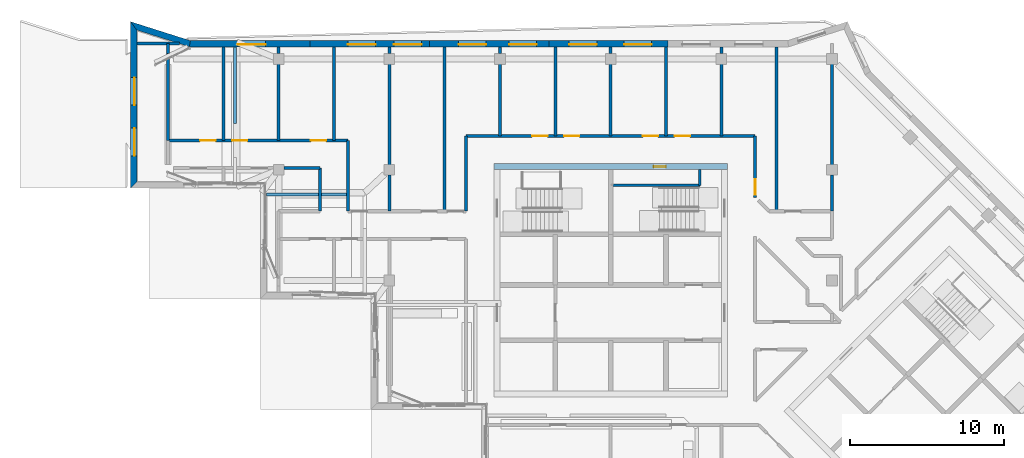
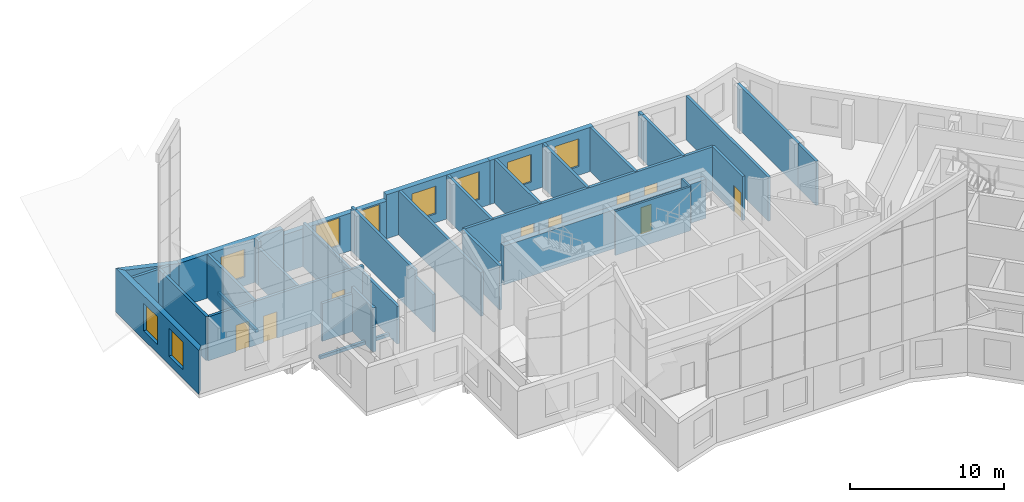
# One storey, part 15 of 20: 40 walls, 9 doors, 9 windows, 18 openings.
"""IFC4 building model written with IfcOpenShell, lengths in metres."""

from ifc_helpers import new_model, si_unit, direction, frame, frame_2d, origin, place, context, subcontext, project, spatial, polyline, rectangle, outline, extrude, material, layer, layer_set, type_object, element, fill, save


model = new_model("IFC4")

# Units and contexts
model_context = context("Model", 3, precision=1e-05, world=origin(), true_north=direction((0.0, 1.0)))
body_context = subcontext(model_context, "Body", "Model", "MODEL_VIEW")
ifc_project = project(units=[si_unit("LENGTHUNIT", "METRE"), si_unit("AREAUNIT", "SQUARE_METRE"), si_unit("VOLUMEUNIT", "CUBIC_METRE"), si_unit("PLANEANGLEUNIT", "RADIAN"), si_unit("MASSUNIT", "GRAM", prefix="KILO")], contexts=[model_context])

# Site, building, storey
site_placement = place(None, origin())
site = spatial("IfcSite", under=ifc_project, at=site_placement, CompositionType="ELEMENT")
building_placement = place(site_placement, origin())
building = spatial("IfcBuilding", under=site, at=building_placement, Name="Windrow Commons", CompositionType="ELEMENT")
storey_placement = place(building_placement, frame((0.0, 0.0, 290.6)))
storey = spatial("IfcBuildingStorey", under=building, at=storey_placement, Name="L79", CompositionType="ELEMENT", Elevation=290.6)

# Wall, openings, doors
ifc_material_1 = material(Name="Blockwork partition", Category="masonry")
ifc_layer_1 = layer(ifc_material_1, 0.2)
ifc_layer_set_1 = layer_set([ifc_layer_1], Name="IW-CORRIDOR-200")
wall_type_1 = type_object("IfcWallType", Name="IW-CORRIDOR-200", PredefinedType="PARTITIONING", material=ifc_layer_set_1)
wall_1_placement = place(storey_placement, frame((55.4, 67.0, 0.0), z_axis=(0.0, 0.0, 1.0), x_axis=(1.0, 0.0, 0.0)))
wall_1 = element("IfcWall", 1, at=wall_1_placement, inside=storey, type_object=wall_type_1, Name="W-L79-W002", PredefinedType="PARTITIONING", context=body_context, shape_type="SweptSolid", body=[
    extrude(rectangle(XDim=18.8, YDim=0.2, at=frame_2d((9.4, 0.0))), origin(), (0.0, 0.0, 1.0), 3.5),
])
opening_1_placement = place(wall_1_placement, frame((4.2925, 0.0, 0.0)))
opening_1 = element("IfcOpeningElement", 2, at=opening_1_placement, cuts=wall_1, Name="Opening D410F", PredefinedType="OPENING", context=body_context, shape_type="SweptSolid", body=[
    extrude(rectangle(XDim=1.0, YDim=2.1, at=frame_2d((0.5, 1.05))), frame((0.0, 0.11, 0.0), z_axis=(0.0, -1.0, 0.0), x_axis=(1.0, 0.0, 0.0)), (0.0, 0.0, 1.0), 0.22),
])
opening_2_placement = place(wall_1_placement, frame((6.3675, 0.0, 0.0)))
opening_2 = element("IfcOpeningElement", 3, at=opening_2_placement, cuts=wall_1, Name="Opening D410F", PredefinedType="OPENING", context=body_context, shape_type="SweptSolid", body=[
    extrude(rectangle(XDim=1.0, YDim=2.1, at=frame_2d((0.5, 1.05))), frame((0.0, 0.11, 0.0), z_axis=(0.0, -1.0, 0.0), x_axis=(1.0, 0.0, 0.0)), (0.0, 0.0, 1.0), 0.22),
])
opening_3_placement = place(wall_1_placement, frame((11.4925, 0.0, 0.0)))
opening_3 = element("IfcOpeningElement", 4, at=opening_3_placement, cuts=wall_1, Name="Opening D410F", PredefinedType="OPENING", context=body_context, shape_type="SweptSolid", body=[
    extrude(rectangle(XDim=1.0, YDim=2.1, at=frame_2d((0.5, 1.05))), frame((0.0, 0.11, 0.0), z_axis=(0.0, -1.0, 0.0), x_axis=(1.0, 0.0, 0.0)), (0.0, 0.0, 1.0), 0.22),
])
opening_4_placement = place(wall_1_placement, frame((13.5675, 0.0, 0.0)))
opening_4 = element("IfcOpeningElement", 5, at=opening_4_placement, cuts=wall_1, Name="Opening D410F", PredefinedType="OPENING", context=body_context, shape_type="SweptSolid", body=[
    extrude(rectangle(XDim=1.0, YDim=2.1, at=frame_2d((0.5, 1.05))), frame((0.0, 0.11, 0.0), z_axis=(0.0, -1.0, 0.0), x_axis=(1.0, 0.0, 0.0)), (0.0, 0.0, 1.0), 0.22),
])
ifc_material_2 = material(Name="Timber door leaf", Category="wood")
door_type_1 = type_object("IfcDoorType", Name="DT-SERVICE-1000", OperationType="SINGLE_SWING_LEFT", PredefinedType="DOOR", material=ifc_material_2)
door_1_placement = place(opening_1_placement, origin())
door_1 = element("IfcDoor", 6, at=door_1_placement, inside=storey, type_object=door_type_1, Name="D-L79-D018", OperationType="SINGLE_SWING_RIGHT", OverallHeight=2.1, OverallWidth=1.0, PredefinedType="DOOR", context=body_context, shape_type="SweptSolid", body=[
    extrude(rectangle(XDim=1.0, YDim=2.1, at=frame_2d((0.5, 1.05))), frame((0.0, 0.025, 0.0), z_axis=(0.0, -1.0, 0.0), x_axis=(1.0, 0.0, 0.0)), (0.0, 0.0, 1.0), 0.05),
])
fill(opening_1, door_1)
door_2_placement = place(opening_2_placement, origin())
door_2 = element("IfcDoor", 7, at=door_2_placement, inside=storey, type_object=door_type_1, Name="D-L79-D019", OperationType="SINGLE_SWING_LEFT", OverallHeight=2.1, OverallWidth=1.0, PredefinedType="DOOR", context=body_context, shape_type="SweptSolid", body=[
    extrude(rectangle(XDim=1.0, YDim=2.1, at=frame_2d((0.5, 1.05))), frame((0.0, 0.025, 0.0), z_axis=(0.0, -1.0, 0.0), x_axis=(1.0, 0.0, 0.0)), (0.0, 0.0, 1.0), 0.05),
])
fill(opening_2, door_2)
door_3_placement = place(opening_3_placement, origin())
door_3 = element("IfcDoor", 8, at=door_3_placement, inside=storey, type_object=door_type_1, Name="D-L79-D020", OperationType="SINGLE_SWING_RIGHT", OverallHeight=2.1, OverallWidth=1.0, PredefinedType="DOOR", context=body_context, shape_type="SweptSolid", body=[
    extrude(rectangle(XDim=1.0, YDim=2.1, at=frame_2d((0.5, 1.05))), frame((0.0, 0.025, 0.0), z_axis=(0.0, -1.0, 0.0), x_axis=(1.0, 0.0, 0.0)), (0.0, 0.0, 1.0), 0.05),
])
fill(opening_3, door_3)
door_4_placement = place(opening_4_placement, origin())
door_4 = element("IfcDoor", 9, at=door_4_placement, inside=storey, type_object=door_type_1, Name="D-L79-D021", OperationType="SINGLE_SWING_LEFT", OverallHeight=2.1, OverallWidth=1.0, PredefinedType="DOOR", context=body_context, shape_type="SweptSolid", body=[
    extrude(rectangle(XDim=1.0, YDim=2.1, at=frame_2d((0.5, 1.05))), frame((0.0, 0.025, 0.0), z_axis=(0.0, -1.0, 0.0), x_axis=(1.0, 0.0, 0.0)), (0.0, 0.0, 1.0), 0.05),
])
fill(opening_4, door_4)

wall_2_placement = place(storey_placement, frame((36.0, 66.7, 0.0), z_axis=(0.0, 0.0, 1.0), x_axis=(1.0, 0.0, 0.0)))
wall_2 = element("IfcWall", 10, at=wall_2_placement, inside=storey, type_object=wall_type_1, Name="W-L79-W005", PredefinedType="PARTITIONING", context=body_context, shape_type="SweptSolid", body=[
    extrude(rectangle(XDim=11.7, YDim=0.2, at=frame_2d((5.85, 0.0))), origin(), (0.0, 0.0, 1.0), 3.5),
])
opening_5_placement = place(wall_2_placement, frame((2.0925, 0.0, 0.0)))
opening_5 = element("IfcOpeningElement", 11, at=opening_5_placement, cuts=wall_2, Name="Opening D410F", PredefinedType="OPENING", context=body_context, shape_type="SweptSolid", body=[
    extrude(rectangle(XDim=1.0, YDim=2.1, at=frame_2d((0.5, 1.05))), frame((0.0, 0.11, 0.0), z_axis=(0.0, -1.0, 0.0), x_axis=(1.0, 0.0, 0.0)), (0.0, 0.0, 1.0), 0.22),
])
opening_6_placement = place(wall_2_placement, frame((4.1675, 0.0, 0.0)))
opening_6 = element("IfcOpeningElement", 12, at=opening_6_placement, cuts=wall_2, Name="Opening D410F", PredefinedType="OPENING", context=body_context, shape_type="SweptSolid", body=[
    extrude(rectangle(XDim=1.0, YDim=2.1, at=frame_2d((0.5, 1.05))), frame((0.0, 0.11, 0.0), z_axis=(0.0, -1.0, 0.0), x_axis=(1.0, 0.0, 0.0)), (0.0, 0.0, 1.0), 0.22),
])
opening_7_placement = place(wall_2_placement, frame((9.2925, 0.0, 0.0)))
opening_7 = element("IfcOpeningElement", 13, at=opening_7_placement, cuts=wall_2, Name="Opening D410F", PredefinedType="OPENING", context=body_context, shape_type="SweptSolid", body=[
    extrude(rectangle(XDim=1.0, YDim=2.1, at=frame_2d((0.5, 1.05))), frame((0.0, 0.11, 0.0), z_axis=(0.0, -1.0, 0.0), x_axis=(1.0, 0.0, 0.0)), (0.0, 0.0, 1.0), 0.22),
])
door_5_placement = place(opening_5_placement, origin())
door_5 = element("IfcDoor", 14, at=door_5_placement, inside=storey, type_object=door_type_1, Name="D-L79-D006", OperationType="SINGLE_SWING_RIGHT", OverallHeight=2.1, OverallWidth=1.0, PredefinedType="DOOR", context=body_context, shape_type="SweptSolid", body=[
    extrude(rectangle(XDim=1.0, YDim=2.1, at=frame_2d((0.5, 1.05))), frame((0.0, 0.025, 0.0), z_axis=(0.0, -1.0, 0.0), x_axis=(1.0, 0.0, 0.0)), (0.0, 0.0, 1.0), 0.05),
])
fill(opening_5, door_5)
door_6_placement = place(opening_6_placement, origin())
door_6 = element("IfcDoor", 15, at=door_6_placement, inside=storey, type_object=door_type_1, Name="D-L79-D007", OperationType="SINGLE_SWING_LEFT", OverallHeight=2.1, OverallWidth=1.0, PredefinedType="DOOR", context=body_context, shape_type="SweptSolid", body=[
    extrude(rectangle(XDim=1.0, YDim=2.1, at=frame_2d((0.5, 1.05))), frame((0.0, 0.025, 0.0), z_axis=(0.0, -1.0, 0.0), x_axis=(1.0, 0.0, 0.0)), (0.0, 0.0, 1.0), 0.05),
])
fill(opening_6, door_6)
door_7_placement = place(opening_7_placement, origin())
door_7 = element("IfcDoor", 16, at=door_7_placement, inside=storey, type_object=door_type_1, Name="D-L79-D008", OperationType="SINGLE_SWING_RIGHT", OverallHeight=2.1, OverallWidth=1.0, PredefinedType="DOOR", context=body_context, shape_type="SweptSolid", body=[
    extrude(rectangle(XDim=1.0, YDim=2.1, at=frame_2d((0.5, 1.05))), frame((0.0, 0.025, 0.0), z_axis=(0.0, -1.0, 0.0), x_axis=(1.0, 0.0, 0.0)), (0.0, 0.0, 1.0), 0.05),
])
fill(opening_7, door_7)

# Walls
wall_3_placement = place(storey_placement, frame((55.4, 62.102, 0.0), z_axis=(0.0, 0.0, 1.0), x_axis=(0.0, 1.0, 0.0)))
element("IfcWall", 17, at=wall_3_placement, inside=storey, type_object=wall_type_1, Name="W-L79-W031", PredefinedType="PARTITIONING", context=body_context, shape_type="SweptSolid", body=[
    extrude(rectangle(XDim=4.898, YDim=0.2, at=frame_2d((2.449, 0.0))), origin(), (0.0, 0.0, 1.0), 3.5),
])
wall_4_placement = place(storey_placement, frame((47.7, 62.102, 0.0), z_axis=(0.0, 0.0, 1.0), x_axis=(0.0, 1.0, 0.0)))
element("IfcWall", 18, at=wall_4_placement, inside=storey, type_object=wall_type_1, Name="W-L79-W038", PredefinedType="PARTITIONING", context=body_context, shape_type="SweptSolid", body=[
    extrude(rectangle(XDim=4.598, YDim=0.2, at=frame_2d((2.299, 0.0))), origin(), (0.0, 0.0, 1.0), 3.0),
])

# Wall, opening, door
wall_5_placement = place(storey_placement, frame((74.2, 63.0, 0.0), z_axis=(0.0, 0.0, 1.0), x_axis=(0.0, 1.0, 0.0)))
wall_5 = element("IfcWall", 19, at=wall_5_placement, inside=storey, type_object=wall_type_1, Name="W-L79-W042", PredefinedType="PARTITIONING", context=body_context, shape_type="SweptSolid", body=[
    extrude(rectangle(XDim=4.0, YDim=0.2, at=frame_2d((2.0, 0.0))), origin(), (0.0, 0.0, 1.0), 3.5),
])
opening_8_placement = place(wall_5_placement, frame((0.186, 0.0, 0.0)))
opening_8 = element("IfcOpeningElement", 20, at=opening_8_placement, cuts=wall_5, Name="Opening D410F", PredefinedType="OPENING", context=body_context, shape_type="SweptSolid", body=[
    extrude(rectangle(XDim=1.0, YDim=2.1, at=frame_2d((0.5, 1.05))), frame((0.0, 0.11, 0.0), z_axis=(0.0, -1.0, 0.0), x_axis=(1.0, 0.0, 0.0)), (0.0, 0.0, 1.0), 0.22),
])
door_8_placement = place(opening_8_placement, origin())
door_8 = element("IfcDoor", 21, at=door_8_placement, inside=storey, type_object=door_type_1, Name="D-L79-D014", OperationType="SINGLE_SWING_RIGHT", OverallHeight=2.1, OverallWidth=1.0, PredefinedType="DOOR", context=body_context, shape_type="SweptSolid", body=[
    extrude(rectangle(XDim=1.0, YDim=2.1, at=frame_2d((0.5, 1.05))), frame((0.0, 0.025, 0.0), z_axis=(0.0, -1.0, 0.0), x_axis=(1.0, 0.0, 0.0)), (0.0, 0.0, 1.0), 0.05),
])
fill(opening_8, door_8)

# Walls
wall_6_placement = place(storey_placement, frame((45.9, 62.102, 0.0), z_axis=(0.0, 0.0, 1.0), x_axis=(0.0, 1.0, 0.0)))
element("IfcWall", 22, at=wall_6_placement, inside=storey, type_object=wall_type_1, Name="W-L79-W051", PredefinedType="PARTITIONING", context=body_context, shape_type="SweptSolid", body=[
    extrude(rectangle(XDim=2.798, YDim=0.2, at=frame_2d((1.399, 0.0))), origin(), (0.0, 0.0, 1.0), 3.5),
])
wall_7_placement = place(storey_placement, frame((43.55, 64.9, 0.0), z_axis=(0.0, 0.0, 1.0), x_axis=(1.0, 0.0, 0.0)))
element("IfcWall", 23, at=wall_7_placement, inside=storey, type_object=wall_type_1, Name="W-L79-W058", PredefinedType="PARTITIONING", context=body_context, shape_type="SweptSolid", body=[
    extrude(rectangle(XDim=2.35, YDim=0.2, at=frame_2d((1.175, 0.0))), origin(), (0.0, 0.0, 1.0), 3.0),
])
ifc_material_3 = material(Name="Blockwork partition", Category="masonry")
ifc_layer_2 = layer(ifc_material_3, 0.2)
ifc_layer_set_2 = layer_set([ifc_layer_2], Name="IW-PARTY-200")
wall_type_2 = type_object("IfcWallType", Name="IW-PARTY-200", PredefinedType="PARTITIONING", material=ifc_layer_set_2)
for number, where, z_axis, x_axis, name in (
    (24, (50.4, 64.45, 0.0), (0.0, 0.0, 1.0), (0.0, 1.0, 0.0), "W-L79-W017"),
    (25, (79.2, 64.45, 0.0), (0.0, 0.0, 1.0), (0.0, 1.0, 0.0), "W-L79-W018"),
):
    element("IfcWall", number, at=place(storey_placement, frame(where, z_axis=z_axis, x_axis=x_axis)), inside=storey, type_object=wall_type_2, Name=name, PredefinedType="PARTITIONING", context=body_context, shape_type="SweptSolid", body=[
        extrude(rectangle(XDim=7.9, YDim=0.2, at=frame_2d((3.95, 0.0))), origin(), (0.0, 0.0, 1.0), 3.5),
    ])
wall_8_placement = place(storey_placement, frame((36.0, 66.7, 0.0), z_axis=(0.0, 0.0, 1.0), x_axis=(0.0, 1.0, 0.0)))
element("IfcWall", 26, at=wall_8_placement, inside=storey, type_object=wall_type_2, Name="W-L79-W029", PredefinedType="PARTITIONING", context=body_context, shape_type="SweptSolid", body=[
    extrude(rectangle(XDim=5.65, YDim=0.2, at=frame_2d((2.825, 0.0))), origin(), (0.0, 0.0, 1.0), 3.5),
])
wall_9_placement = place(storey_placement, frame((43.2, 66.7, 0.0), z_axis=(0.0, 0.0, 1.0), x_axis=(0.0, 1.0, 0.0)))
element("IfcWall", 27, at=wall_9_placement, inside=storey, type_object=wall_type_2, Name="W-L79-W030", PredefinedType="PARTITIONING", context=body_context, shape_type="SweptSolid", body=[
    extrude(rectangle(XDim=5.65, YDim=0.2, at=frame_2d((2.825, 0.0))), origin(), (0.0, 0.0, 1.0), 3.0),
])
for number, where, z_axis, x_axis, name in (
    (28, (57.6, 67.0, 0.0), (0.0, 0.0, 1.0), (0.0, 1.0, 0.0), "W-L79-W033"),
    (29, (64.8, 67.0, 0.0), (0.0, 0.0, 1.0), (0.0, 1.0, 0.0), "W-L79-W035"),
    (30, (72.0, 67.0, 0.0), (0.0, 0.0, 1.0), (0.0, 1.0, 0.0), "W-L79-W037"),
):
    element("IfcWall", number, at=place(storey_placement, frame(where, z_axis=z_axis, x_axis=x_axis)), inside=storey, type_object=wall_type_2, Name=name, PredefinedType="PARTITIONING", context=body_context, shape_type="SweptSolid", body=[
        extrude(rectangle(XDim=5.35, YDim=0.2, at=frame_2d((2.675, 0.0))), origin(), (0.0, 0.0, 1.0), 3.5),
    ])
wall_10_placement = place(storey_placement, frame((50.4, 62.1, 0.0), z_axis=(0.0, 0.0, 1.0), x_axis=(0.0, 1.0, 0.0)))
element("IfcWall", 31, at=wall_10_placement, inside=storey, type_object=wall_type_2, Name="W-L79-W059", PredefinedType="PARTITIONING", context=body_context, shape_type="SweptSolid", body=[
    extrude(rectangle(XDim=2.35, YDim=0.2, at=frame_2d((1.175, 0.0))), origin(), (0.0, 0.0, 1.0), 3.0),
])
wall_11_placement = place(storey_placement, frame((79.2, 62.1, 0.0), z_axis=(0.0, 0.0, 1.0), x_axis=(0.0, 1.0, 0.0)))
element("IfcWall", 32, at=wall_11_placement, inside=storey, type_object=wall_type_2, Name="W-L79-W060", PredefinedType="PARTITIONING", context=body_context, shape_type="SweptSolid", body=[
    extrude(rectangle(XDim=2.35, YDim=0.2, at=frame_2d((1.175, 0.0))), origin(), (0.0, 0.0, 1.0), 3.5),
])
wall_12_placement = place(storey_placement, frame((36.0, 72.35, 0.0), z_axis=(0.0, 0.0, 1.0), x_axis=(0.0, 1.0, 0.0)))
element("IfcWall", 33, at=wall_12_placement, inside=storey, type_object=wall_type_2, Name="W-L79-W090", PredefinedType="PARTITIONING", context=body_context, shape_type="SweptSolid", body=[
    extrude(rectangle(XDim=0.65, YDim=0.2, at=frame_2d((0.325, 0.0))), origin(), (0.0, 0.0, 1.0), 3.5),
])
wall_13_placement = place(storey_placement, frame((33.967, 73.0, 0.0), z_axis=(0.0, 0.0, 1.0), x_axis=(1.0, 0.0, 0.0)))
element("IfcWall", 34, at=wall_13_placement, inside=storey, type_object=wall_type_2, Name="W-L79-W000", PredefinedType="PARTITIONING", context=body_context, shape_type="SweptSolid", body=[
    extrude(outline(polyline([(0.0, -0.1), (2.7941, -0.1), (2.7941, 0.1), (0.0, 0.1), (0.0, -0.1)])), origin(), (0.0, 0.0, 1.0), 3.5),
])
for number, where, z_axis, x_axis, name in (
    (35, (54.0, 62.1, 0.0), (0.0, 0.0, 1.0), (0.0, 1.0, 0.0), "W-L79-W008"),
    (36, (75.6, 62.1, 0.0), (0.0, 0.0, 1.0), (0.0, 1.0, 0.0), "W-L79-W009"),
):
    element("IfcWall", number, at=place(storey_placement, frame(where, z_axis=z_axis, x_axis=x_axis)), inside=storey, type_object=wall_type_2, Name=name, PredefinedType="PARTITIONING", context=body_context, shape_type="SweptSolid", body=[
        extrude(outline(polyline([(0.0, -0.1), (10.7, -0.1), (10.7, 0.1), (0.0, 0.1), (0.0, -0.1)])), origin(), (0.0, 0.0, 1.0), 3.5),
    ])
for number, where, z_axis, x_axis, name in (
    (37, (39.6, 66.7, 0.0), (0.0, 0.0, 1.0), (0.0, 1.0, 0.0), "W-L79-W019"),
    (38, (46.8, 66.7, 0.0), (0.0, 0.0, 1.0), (0.0, 1.0, 0.0), "W-L79-W020"),
):
    element("IfcWall", number, at=place(storey_placement, frame(where, z_axis=z_axis, x_axis=x_axis)), inside=storey, type_object=wall_type_2, Name=name, PredefinedType="PARTITIONING", context=body_context, shape_type="SweptSolid", body=[
        extrude(outline(polyline([(0.0, -0.1), (6.1, -0.1), (6.1, 0.1), (0.0, 0.1), (0.0, -0.1)])), origin(), (0.0, 0.0, 1.0), 3.5),
    ])
for number, where, z_axis, x_axis, name in (
    (39, (61.2, 67.0, 0.0), (0.0, 0.0, 1.0), (0.0, 1.0, 0.0), "W-L79-W023"),
    (40, (68.4, 67.0, 0.0), (0.0, 0.0, 1.0), (0.0, 1.0, 0.0), "W-L79-W024"),
):
    element("IfcWall", number, at=place(storey_placement, frame(where, z_axis=z_axis, x_axis=x_axis)), inside=storey, type_object=wall_type_2, Name=name, PredefinedType="PARTITIONING", context=body_context, shape_type="SweptSolid", body=[
        extrude(outline(polyline([(0.0, -0.1), (5.8, -0.1), (5.8, 0.1), (0.0, 0.1), (0.0, -0.1)])), origin(), (0.0, 0.0, 1.0), 3.5),
    ])
for number, where, z_axis, x_axis, name in (
    (41, (43.2, 72.35, 0.0), (0.0, 0.0, 1.0), (0.0, 1.0, 0.0), "W-L79-W091"),
    (42, (50.4, 72.35, 0.0), (0.0, 0.0, 1.0), (0.0, 1.0, 0.0), "W-L79-W092"),
    (43, (57.6, 72.35, 0.0), (0.0, 0.0, 1.0), (0.0, 1.0, 0.0), "W-L79-W093"),
    (44, (64.8, 72.35, 0.0), (0.0, 0.0, 1.0), (0.0, 1.0, 0.0), "W-L79-W094"),
    (45, (72.0, 72.35, 0.0), (0.0, 0.0, 1.0), (0.0, 1.0, 0.0), "W-L79-W095"),
):
    element("IfcWall", number, at=place(storey_placement, frame(where, z_axis=z_axis, x_axis=x_axis)), inside=storey, type_object=wall_type_2, Name=name, PredefinedType="PARTITIONING", context=body_context, shape_type="SweptSolid", body=[
        extrude(outline(polyline([(0.0, -0.1), (0.45, -0.1), (0.45, 0.1), (0.0, 0.1), (0.0, -0.1)])), origin(), (0.0, 0.0, 1.0), 3.5),
    ])

# Wall, opening, door
ifc_material_4 = material(Name="Concrete C40/50", Category="concrete")
ifc_layer_3 = layer(ifc_material_4, 0.4)
ifc_layer_set_3 = layer_set([ifc_layer_3], Name="RC CORE WALL 400 C40/50")
wall_type_3 = type_object("IfcWallType", Name="RC CORE WALL 400 C40/50", PredefinedType="SHEAR", material=ifc_layer_set_3)
wall_14_placement = place(storey_placement, frame((57.2, 65.0, -0.3), z_axis=(0.0, 0.0, 1.0), x_axis=(1.0, 0.0, 0.0)))
wall_14 = element("IfcWall", 46, at=wall_14_placement, inside=storey, type_object=wall_type_3, Name="Core A wall outer-N", PredefinedType="SHEAR", context=body_context, shape_type="SweptSolid", body=[
    extrude(rectangle(XDim=15.2, YDim=0.4, at=frame_2d((7.6, 0.0))), origin(), (0.0, 0.0, 1.0), 3.1),
])
opening_9_placement = place(wall_14_placement, frame((10.4, 0.0, 0.3)))
opening_9 = element("IfcOpeningElement", 47, at=opening_9_placement, cuts=wall_14, Name="Opening D9", PredefinedType="OPENING", context=body_context, shape_type="SweptSolid", body=[
    extrude(rectangle(XDim=0.8, YDim=2.1, at=frame_2d((0.4, 1.05))), frame((0.0, 0.21, 0.0), z_axis=(0.0, -1.0, 0.0), x_axis=(1.0, 0.0, 0.0)), (0.0, 0.0, 1.0), 0.42),
])
ifc_material_5 = material(Name="Steel fire door leaf", Category="steel")
door_type_2 = type_object("IfcDoorType", Name="Riser access door 800", OperationType="SINGLE_SWING_LEFT", PredefinedType="DOOR", material=ifc_material_5)
door_9_placement = place(opening_9_placement, origin())
door_9 = element("IfcDoor", 48, at=door_9_placement, inside=storey, type_object=door_type_2, Name="Riser access door", OperationType="SINGLE_SWING_RIGHT", OverallHeight=2.1, OverallWidth=0.8, PredefinedType="DOOR", context=body_context, shape_type="SweptSolid", body=[
    extrude(rectangle(XDim=0.8, YDim=2.1, at=frame_2d((0.4, 1.05))), frame((0.0, 0.025, 0.0), z_axis=(0.0, -1.0, 0.0), x_axis=(1.0, 0.0, 0.0)), (0.0, 0.0, 1.0), 0.05),
])
fill(opening_9, door_9)

# Walls
ifc_material_6 = material(Name="Blockwork partition", Category="masonry")
ifc_layer_4 = layer(ifc_material_6, 0.15)
ifc_layer_set_4 = layer_set([ifc_layer_4], Name="Riser partition 150")
wall_type_4 = type_object("IfcWallType", Name="Riser partition 150", PredefinedType="PARTITIONING", material=ifc_layer_set_4)
wall_15_placement = place(storey_placement, frame((64.95, 63.78, 0.0), z_axis=(0.0, 0.0, 1.0), x_axis=(1.0, 0.0, 0.0)))
element("IfcWall", 49, at=wall_15_placement, inside=storey, type_object=wall_type_4, Name="W-core-strip-A-L79", PredefinedType="PARTITIONING", context=body_context, shape_type="SweptSolid", body=[
    extrude(rectangle(XDim=5.65, YDim=0.15, at=frame_2d((2.825, 0.0))), origin(), (0.0, 0.0, 1.0), 3.5),
])
wall_16_placement = place(storey_placement, frame((70.6, 63.78, 0.0), z_axis=(0.0, 0.0, 1.0), x_axis=(0.0, 1.0, 0.0)))
element("IfcWall", 50, at=wall_16_placement, inside=storey, type_object=wall_type_4, Name="W-core-stripx-A-L79-1", PredefinedType="PARTITIONING", context=body_context, shape_type="SweptSolid", body=[
    extrude(rectangle(XDim=1.02, YDim=0.15, at=frame_2d((0.51, 0.0))), origin(), (0.0, 0.0, 1.0), 3.5),
])
ifc_material_7 = material(Name="Brick masonry, red clay brick", Category="masonry")
ifc_layer_5 = layer(ifc_material_7, 0.2)
ifc_layer_set_5 = layer_set([ifc_layer_5], Name="Terrace edge parapet 200")
wall_type_5 = type_object("IfcWallType", Name="Terrace edge parapet 200", PredefinedType="PARAPET", material=ifc_layer_set_5)
wall_17_placement = place(storey_placement, frame((40.367, 67.82, 0.0), z_axis=(0.0, 0.0, 1.0), x_axis=(0.0, 1.0, 0.0)))
element("IfcWall", 51, at=wall_17_placement, inside=storey, type_object=wall_type_5, Name="Terrace parapet TR-L79-1.1.1", PredefinedType="PARAPET", context=body_context, shape_type="SweptSolid", body=[
    extrude(outline(polyline([(0.0, -0.1), (4.98, -0.1), (4.98, 0.1), (0.0, 0.1), (0.0, -0.1)])), origin(), (0.0, 0.0, 1.0), 0.25),
])
wall_18_placement = place(storey_placement, frame((47.6967, 63.2, 0.0), z_axis=(0.0, 0.0, 1.0), x_axis=(-1.0, 0.0, 0.0)))
element("IfcWall", 52, at=wall_18_placement, inside=storey, type_object=wall_type_5, Name="Terrace parapet TR-L79-2.1.2", PredefinedType="PARAPET", context=body_context, shape_type="SweptSolid", body=[
    extrude(outline(polyline([(0.0, -0.1), (5.2967, -0.1), (5.2967, 0.1), (0.0, 0.1), (0.0, -0.1)])), origin(), (0.0, 0.0, 1.0), 0.25),
])

# Wall, openings, windows
ifc_material_8 = material(Name="Standing seam zinc cladding on insulated masonry backing", Category="masonry")
ifc_layer_6 = layer(ifc_material_8, 0.4)
ifc_layer_set_6 = layer_set([ifc_layer_6], Name="Zinc clad crown wall 400")
wall_type_6 = type_object("IfcWallType", Name="Zinc clad crown wall 400", PredefinedType="SOLIDWALL", material=ifc_layer_set_6)
wall_19_placement = place(storey_placement, frame((68.5444, 73.0, 0.0), z_axis=(0.0, 0.0, 1.0), x_axis=(-1.0, 0.0, 0.0)))
wall_19 = element("IfcWall", 53, at=wall_19_placement, inside=storey, type_object=wall_type_6, Name="Brick facade wall L79 12", PredefinedType="SOLIDWALL", context=body_context, shape_type="SweptSolid", body=[
    extrude(outline(polyline([(0.0, -0.2), (7.7728, -0.2), (7.7728, 0.2), (0.0, 0.2), (0.0, -0.2)])), origin(), (0.0, 0.0, 1.0), 3.5),
])
opening_10_placement = place(wall_19_placement, frame((1.0722, 0.0, 0.7)))
opening_10 = element("IfcOpeningElement", 54, at=opening_10_placement, cuts=wall_19, Name="Opening W6", PredefinedType="OPENING", context=body_context, shape_type="SweptSolid", body=[
    extrude(rectangle(XDim=1.8, YDim=2.2, at=frame_2d((0.9, 1.1))), frame((0.0, 0.21, 0.0), z_axis=(0.0, -1.0, 0.0), x_axis=(1.0, 0.0, 0.0)), (0.0, 0.0, 1.0), 0.42),
])
opening_11_placement = place(wall_19_placement, frame((4.6444, 0.0, 0.7)))
opening_11 = element("IfcOpeningElement", 55, at=opening_11_placement, cuts=wall_19, Name="Opening W6", PredefinedType="OPENING", context=body_context, shape_type="SweptSolid", body=[
    extrude(rectangle(XDim=1.8, YDim=2.2, at=frame_2d((0.9, 1.1))), frame((0.0, 0.21, 0.0), z_axis=(0.0, -1.0, 0.0), x_axis=(1.0, 0.0, 0.0)), (0.0, 0.0, 1.0), 0.42),
])
ifc_material_9 = material(Name="Clear float glass in anodised aluminium frame", Category="aluminium")
window_type = type_object("IfcWindowType", Name="Window W6 crown 1800x2200", PartitioningType="SINGLE_PANEL", PredefinedType="WINDOW", material=ifc_material_9)
window_1_placement = place(opening_10_placement, origin())
window_1 = element("IfcWindow", 56, at=window_1_placement, inside=storey, type_object=window_type, Name="Window L79 12.1", OverallHeight=2.2, OverallWidth=1.8, PartitioningType="SINGLE_PANEL", PredefinedType="WINDOW", context=body_context, shape_type="SweptSolid", body=[
    extrude(rectangle(XDim=1.8, YDim=2.2, at=frame_2d((0.9, 1.1))), frame((0.0, 0.08, 0.0), z_axis=(0.0, -1.0, 0.0), x_axis=(1.0, 0.0, 0.0)), (0.0, 0.0, 1.0), 0.06),
])
fill(opening_10, window_1)
window_2_placement = place(opening_11_placement, origin())
window_2 = element("IfcWindow", 57, at=window_2_placement, inside=storey, type_object=window_type, Name="Window L79 12.2", OverallHeight=2.2, OverallWidth=1.8, PartitioningType="SINGLE_PANEL", PredefinedType="WINDOW", context=body_context, shape_type="SweptSolid", body=[
    extrude(rectangle(XDim=1.8, YDim=2.2, at=frame_2d((0.9, 1.1))), frame((0.0, 0.08, 0.0), z_axis=(0.0, -1.0, 0.0), x_axis=(1.0, 0.0, 0.0)), (0.0, 0.0, 1.0), 0.06),
])
fill(opening_11, window_2)

wall_20_placement = place(storey_placement, frame((60.7717, 73.0, 0.0), z_axis=(0.0, 0.0, 1.0), x_axis=(-1.0, 0.0, 0.0)))
wall_20 = element("IfcWall", 58, at=wall_20_placement, inside=storey, type_object=wall_type_6, Name="Brick facade wall L79 13", PredefinedType="SOLIDWALL", context=body_context, shape_type="SweptSolid", body=[
    extrude(outline(polyline([(0.0, -0.2), (7.7728, -0.2), (7.7728, 0.2), (0.0, 0.2), (0.0, -0.2)])), origin(), (0.0, 0.0, 1.0), 3.5),
])
opening_12_placement = place(wall_20_placement, frame((0.7858, 0.0, 0.7)))
opening_12 = element("IfcOpeningElement", 59, at=opening_12_placement, cuts=wall_20, Name="Opening W6", PredefinedType="OPENING", context=body_context, shape_type="SweptSolid", body=[
    extrude(rectangle(XDim=1.8, YDim=2.2, at=frame_2d((0.9, 1.1))), frame((0.0, 0.21, 0.0), z_axis=(0.0, -1.0, 0.0), x_axis=(1.0, 0.0, 0.0)), (0.0, 0.0, 1.0), 0.42),
])
opening_13_placement = place(wall_20_placement, frame((4.0717, 0.0, 0.7)))
opening_13 = element("IfcOpeningElement", 60, at=opening_13_placement, cuts=wall_20, Name="Opening W6", PredefinedType="OPENING", context=body_context, shape_type="SweptSolid", body=[
    extrude(rectangle(XDim=1.8, YDim=2.2, at=frame_2d((0.9, 1.1))), frame((0.0, 0.21, 0.0), z_axis=(0.0, -1.0, 0.0), x_axis=(1.0, 0.0, 0.0)), (0.0, 0.0, 1.0), 0.42),
])
window_3_placement = place(opening_12_placement, origin())
window_3 = element("IfcWindow", 61, at=window_3_placement, inside=storey, type_object=window_type, Name="Window L79 13.1", OverallHeight=2.2, OverallWidth=1.8, PartitioningType="SINGLE_PANEL", PredefinedType="WINDOW", context=body_context, shape_type="SweptSolid", body=[
    extrude(rectangle(XDim=1.8, YDim=2.2, at=frame_2d((0.9, 1.1))), frame((0.0, 0.08, 0.0), z_axis=(0.0, -1.0, 0.0), x_axis=(1.0, 0.0, 0.0)), (0.0, 0.0, 1.0), 0.06),
])
fill(opening_12, window_3)
window_4_placement = place(opening_13_placement, origin())
window_4 = element("IfcWindow", 62, at=window_4_placement, inside=storey, type_object=window_type, Name="Window L79 13.2", OverallHeight=2.2, OverallWidth=1.8, PartitioningType="SINGLE_PANEL", PredefinedType="WINDOW", context=body_context, shape_type="SweptSolid", body=[
    extrude(rectangle(XDim=1.8, YDim=2.2, at=frame_2d((0.9, 1.1))), frame((0.0, 0.08, 0.0), z_axis=(0.0, -1.0, 0.0), x_axis=(1.0, 0.0, 0.0)), (0.0, 0.0, 1.0), 0.06),
])
fill(opening_13, window_4)

wall_21_placement = place(storey_placement, frame((52.9989, 73.0, 0.0), z_axis=(0.0, 0.0, 1.0), x_axis=(-1.0, 0.0, 0.0)))
wall_21 = element("IfcWall", 63, at=wall_21_placement, inside=storey, type_object=wall_type_6, Name="Brick facade wall L79 14", PredefinedType="SOLIDWALL", context=body_context, shape_type="SweptSolid", body=[
    extrude(outline(polyline([(0.0, -0.2), (7.7728, -0.2), (7.7728, 0.2), (0.0, 0.2), (0.0, -0.2)])), origin(), (0.0, 0.0, 1.0), 3.0),
])
opening_14_placement = place(wall_21_placement, frame((0.4995, 0.0, 0.7)))
opening_14 = element("IfcOpeningElement", 64, at=opening_14_placement, cuts=wall_21, Name="Opening W6", PredefinedType="OPENING", context=body_context, shape_type="SweptSolid", body=[
    extrude(rectangle(XDim=1.8, YDim=2.2, at=frame_2d((0.9, 1.1))), frame((0.0, 0.21, 0.0), z_axis=(0.0, -1.0, 0.0), x_axis=(1.0, 0.0, 0.0)), (0.0, 0.0, 1.0), 0.42),
])
opening_15_placement = place(wall_21_placement, frame((3.4989, 0.0, 0.7)))
opening_15 = element("IfcOpeningElement", 65, at=opening_15_placement, cuts=wall_21, Name="Opening W6", PredefinedType="OPENING", context=body_context, shape_type="SweptSolid", body=[
    extrude(rectangle(XDim=1.8, YDim=2.2, at=frame_2d((0.9, 1.1))), frame((0.0, 0.21, 0.0), z_axis=(0.0, -1.0, 0.0), x_axis=(1.0, 0.0, 0.0)), (0.0, 0.0, 1.0), 0.42),
])
window_5_placement = place(opening_14_placement, origin())
window_5 = element("IfcWindow", 66, at=window_5_placement, inside=storey, type_object=window_type, Name="Window L79 14.1", OverallHeight=2.2, OverallWidth=1.8, PartitioningType="SINGLE_PANEL", PredefinedType="WINDOW", context=body_context, shape_type="SweptSolid", body=[
    extrude(rectangle(XDim=1.8, YDim=2.2, at=frame_2d((0.9, 1.1))), frame((0.0, 0.08, 0.0), z_axis=(0.0, -1.0, 0.0), x_axis=(1.0, 0.0, 0.0)), (0.0, 0.0, 1.0), 0.06),
])
fill(opening_14, window_5)
window_6_placement = place(opening_15_placement, origin())
window_6 = element("IfcWindow", 67, at=window_6_placement, inside=storey, type_object=window_type, Name="Window L79 14.2", OverallHeight=2.2, OverallWidth=1.8, PartitioningType="SINGLE_PANEL", PredefinedType="WINDOW", context=body_context, shape_type="SweptSolid", body=[
    extrude(rectangle(XDim=1.8, YDim=2.2, at=frame_2d((0.9, 1.1))), frame((0.0, 0.08, 0.0), z_axis=(0.0, -1.0, 0.0), x_axis=(1.0, 0.0, 0.0)), (0.0, 0.0, 1.0), 0.06),
])
fill(opening_15, window_6)

# Wall, opening, window
wall_22_placement = place(storey_placement, frame((45.2261, 73.0, 0.0), z_axis=(0.0, 0.0, 1.0), x_axis=(-1.0, 0.0, 0.0)))
wall_22 = element("IfcWall", 68, at=wall_22_placement, inside=storey, type_object=wall_type_6, Name="Brick facade wall L79 15", PredefinedType="SOLIDWALL", context=body_context, shape_type="SweptSolid", body=[
    extrude(outline(polyline([(0.0, -0.2), (7.7728, -0.2), (7.8347, 0.2), (0.0, 0.2), (0.0, -0.2)])), origin(), (0.0, 0.0, 1.0), 3.5),
])
opening_16_placement = place(wall_22_placement, frame((2.8761, 0.0, 0.7)))
opening_16 = element("IfcOpeningElement", 69, at=opening_16_placement, cuts=wall_22, Name="Opening W6", PredefinedType="OPENING", context=body_context, shape_type="SweptSolid", body=[
    extrude(rectangle(XDim=1.8, YDim=2.2, at=frame_2d((0.9, 1.1))), frame((0.0, 0.21, 0.0), z_axis=(0.0, -1.0, 0.0), x_axis=(1.0, 0.0, 0.0)), (0.0, 0.0, 1.0), 0.42),
])
window_7_placement = place(opening_16_placement, origin())
window_7 = element("IfcWindow", 70, at=window_7_placement, inside=storey, type_object=window_type, Name="Window L79 15.1", OverallHeight=2.2, OverallWidth=1.8, PartitioningType="SINGLE_PANEL", PredefinedType="WINDOW", context=body_context, shape_type="SweptSolid", body=[
    extrude(rectangle(XDim=1.8, YDim=2.2, at=frame_2d((0.9, 1.1))), frame((0.0, 0.08, 0.0), z_axis=(0.0, -1.0, 0.0), x_axis=(1.0, 0.0, 0.0)), (0.0, 0.0, 1.0), 0.06),
])
fill(opening_16, window_7)

# Wall
wall_23_placement = place(storey_placement, frame((37.4224, 73.0, 0.0), z_axis=(0.0, 0.0, 1.0), x_axis=(-0.9531802344, 0.3024027789, 0.0)))
element("IfcWall", 71, at=wall_23_placement, inside=storey, type_object=wall_type_6, Name="Brick facade wall L79 16", PredefinedType="SOLIDWALL", context=body_context, shape_type="SweptSolid", body=[
    extrude(outline(polyline([(0.031, -0.2), (4.1083, -0.2), (3.5617, 0.2), (-0.031, 0.2), (0.031, -0.2)])), origin(), (0.0, 0.0, 1.0), 3.5),
])

# Wall, openings, windows
wall_24_placement = place(storey_placement, frame((33.767, 74.1597, 0.0), z_axis=(0.0, 0.0, 1.0), x_axis=(0.0, -1.0, 0.0)))
wall_24 = element("IfcWall", 72, at=wall_24_placement, inside=storey, type_object=wall_type_6, Name="Brick facade wall L79 17", PredefinedType="SOLIDWALL", context=body_context, shape_type="SweptSolid", body=[
    extrude(outline(polyline([(-0.2733, -0.2), (10.5597, -0.2), (10.1597, 0.2), (0.2733, 0.2), (-0.2733, -0.2)])), origin(), (0.0, 0.0, 1.0), 3.5),
])
opening_17_placement = place(wall_24_placement, frame((3.3597, 0.0, 0.7)))
opening_17 = element("IfcOpeningElement", 73, at=opening_17_placement, cuts=wall_24, Name="Opening W6", PredefinedType="OPENING", context=body_context, shape_type="SweptSolid", body=[
    extrude(rectangle(XDim=1.8, YDim=2.2, at=frame_2d((0.9, 1.1))), frame((0.0, 0.21, 0.0), z_axis=(0.0, -1.0, 0.0), x_axis=(1.0, 0.0, 0.0)), (0.0, 0.0, 1.0), 0.42),
])
opening_18_placement = place(wall_24_placement, frame((6.6597, 0.0, 0.7)))
opening_18 = element("IfcOpeningElement", 74, at=opening_18_placement, cuts=wall_24, Name="Opening W6", PredefinedType="OPENING", context=body_context, shape_type="SweptSolid", body=[
    extrude(rectangle(XDim=1.8, YDim=2.2, at=frame_2d((0.9, 1.1))), frame((0.0, 0.21, 0.0), z_axis=(0.0, -1.0, 0.0), x_axis=(1.0, 0.0, 0.0)), (0.0, 0.0, 1.0), 0.42),
])
window_8_placement = place(opening_17_placement, origin())
window_8 = element("IfcWindow", 75, at=window_8_placement, inside=storey, type_object=window_type, Name="Window L79 17.1", OverallHeight=2.2, OverallWidth=1.8, PartitioningType="SINGLE_PANEL", PredefinedType="WINDOW", context=body_context, shape_type="SweptSolid", body=[
    extrude(rectangle(XDim=1.8, YDim=2.2, at=frame_2d((0.9, 1.1))), frame((0.0, 0.08, 0.0), z_axis=(0.0, -1.0, 0.0), x_axis=(1.0, 0.0, 0.0)), (0.0, 0.0, 1.0), 0.06),
])
fill(opening_17, window_8)
window_9_placement = place(opening_18_placement, origin())
window_9 = element("IfcWindow", 76, at=window_9_placement, inside=storey, type_object=window_type, Name="Window L79 17.2", OverallHeight=2.2, OverallWidth=1.8, PartitioningType="SINGLE_PANEL", PredefinedType="WINDOW", context=body_context, shape_type="SweptSolid", body=[
    extrude(rectangle(XDim=1.8, YDim=2.2, at=frame_2d((0.9, 1.1))), frame((0.0, 0.08, 0.0), z_axis=(0.0, -1.0, 0.0), x_axis=(1.0, 0.0, 0.0)), (0.0, 0.0, 1.0), 0.06),
])
fill(opening_18, window_9)

save(model, "model.ifc")
